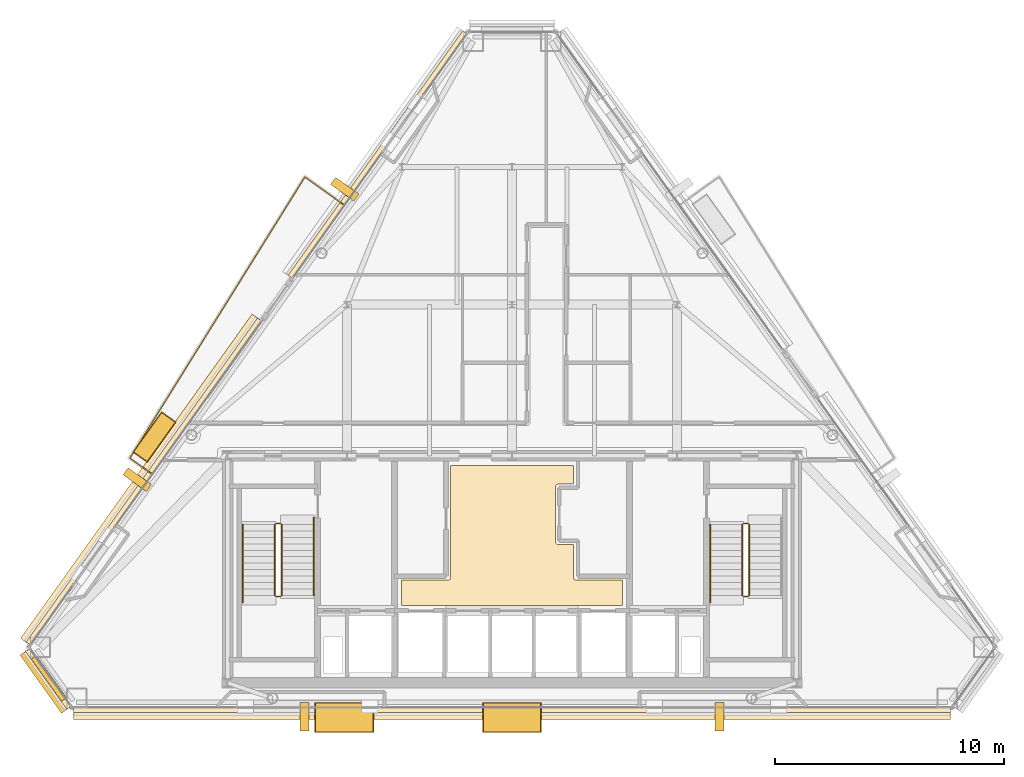
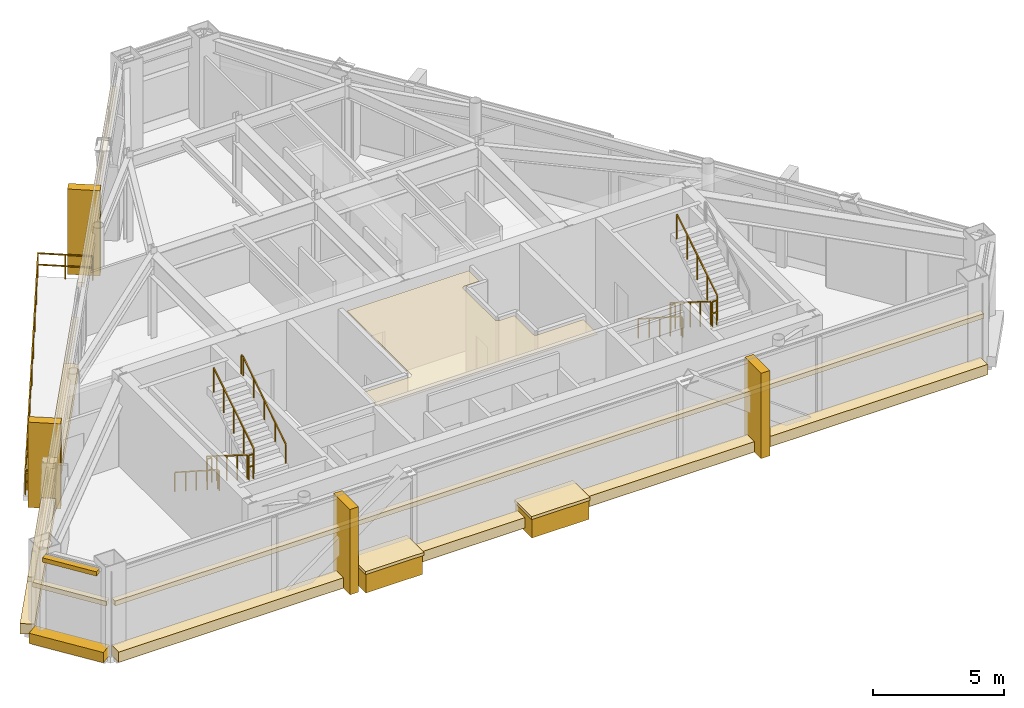
# One storey, part 11 of 12: 18 coverings, 12 railings, 1 shading device.
"""IFC4 building model written with IfcOpenShell, lengths in metres."""

from ifc_helpers import new_model, si_unit, direction, frame, origin, origin_2d, place, context, subcontext, project, spatial, polyline, rectangle, outline, extrude, source, transform, mapped, material, layer, layer_set, type_object, type_shapes, element, save


model = new_model("IFC4")

# Units and contexts
model_context = context("Model", 3, precision=1e-05, world=origin(), true_north=direction((0.0, 1.0)))
body_context = subcontext(model_context, "Body", "Model", "MODEL_VIEW")
ifc_project = project(units=[si_unit("LENGTHUNIT", "METRE"), si_unit("AREAUNIT", "SQUARE_METRE"), si_unit("VOLUMEUNIT", "CUBIC_METRE"), si_unit("PLANEANGLEUNIT", "RADIAN"), si_unit("MASSUNIT", "GRAM", prefix="KILO")], contexts=[model_context])

# Site, building, storey
site_placement = place(None, origin())
site = spatial("IfcSite", under=ifc_project, at=site_placement, CompositionType="ELEMENT")
building_placement = place(site_placement, origin())
building = spatial("IfcBuilding", under=site, at=building_placement, Name="Talgorran Terracotta Tower", CompositionType="ELEMENT")
storey_placement = place(building_placement, frame((0.0, 0.0, 285.0)))
storey = spatial("IfcBuildingStorey", under=building, at=storey_placement, Name="L75", CompositionType="ELEMENT", Elevation=285.0)

# Coverings
ifc_material_1 = material(Name="Kiln-Fired Terracotta Ochre Ceramic", Category="masonry")
ifc_layer_1 = layer(ifc_material_1, 0.179931640625, Name="COV_BAGUETTE_TERRACOTTA_SCREEN")
ifc_layer_set_1 = layer_set([ifc_layer_1], Name="Kiln-Fired Terracotta Ochre Ceramic")
covering_type_1 = type_object("IfcCoveringType", Name="COV_BAGUETTE_TERRACOTTA_SCREEN", PredefinedType="CLADDING", material=ifc_layer_set_1)
covering_1_placement = place(storey_placement, frame((-20.2119140625, -13.916748046875, 2.41015625), z_axis=(0.0, 0.0, 1.0), x_axis=(0.581256971997, -0.813720057824, 0.0)))
element("IfcCovering", 1, at=covering_1_placement, inside=storey, type_object=covering_type_1, Name="L75 Terracotta Baguette Solar Screen Assembly F0", PredefinedType="CLADDING", context=body_context, shape_type="SweptSolid", body=[
    extrude(rectangle(XDim=3.093994140625, YDim=0.260009765625, at=origin_2d()), origin(), (0.0, 0.0, 1.0), 0.219970703125),
])
covering_2_placement = place(storey_placement, frame((0.0, -15.2744140625, 2.41015625), z_axis=(0.0, 0.0, 1.0), x_axis=(1.0, 0.0, 0.0)))
element("IfcCovering", 2, at=covering_2_placement, inside=storey, type_object=covering_type_1, Name="L75 Terracotta Baguette Solar Screen Assembly F1", PredefinedType="CLADDING", context=body_context, shape_type="SweptSolid", body=[
    extrude(rectangle(XDim=38.240966796875, YDim=0.260009765625, at=origin_2d()), origin(), (0.0, 0.0, 1.0), 0.219970703125),
])
covering_3_placement = place(storey_placement, frame((-5.853515625, 8.931884765625, 2.41015625), z_axis=(0.0, 0.0, 1.0), x_axis=(-0.581242769814, -0.813730202548, 0.0)))
element("IfcCovering", 3, at=covering_3_placement, inside=storey, type_object=covering_type_1, Name="L75 Terracotta Baguette Solar Screen Assembly F60", PredefinedType="CLADDING", context=body_context, shape_type="SweptSolid", body=[
    extrude(rectangle(XDim=13.091064453125, YDim=0.260009765625, at=origin_2d()), origin(), (0.0, 0.0, 1.0), 0.219970703125),
])
covering_4_placement = place(storey_placement, frame((-16.04150390625, -5.33056640625, 2.41015625), z_axis=(0.0, 0.0, 1.0), x_axis=(-0.581242769814, -0.813730202548, 0.0)))
element("IfcCovering", 4, at=covering_4_placement, inside=storey, type_object=covering_type_1, Name="L75 Terracotta Baguette Solar Screen Assembly F61", PredefinedType="CLADDING", context=body_context, shape_type="SweptSolid", body=[
    extrude(rectangle(XDim=17.363525390625, YDim=0.260009765625, at=origin_2d()), origin(), (0.0, 0.0, 1.0), 0.219970703125),
])
ifc_material_2 = material(Name="Flush Moisture-Resistant Plaster")
ifc_layer_2 = layer(ifc_material_2, 0.01806640625, Name="COV_CEIL_PLASTER")
ifc_layer_set_2 = layer_set([ifc_layer_2], Name="Flush Moisture-Resistant Plaster")
covering_type_2 = type_object("IfcCoveringType", Name="COV_CEIL_PLASTER", PredefinedType="CEILING", material=ifc_layer_set_2)
covering_5_placement = place(storey_placement, frame((0.0, 0.0, 3.830078125)))
element("IfcCovering", 5, at=covering_5_placement, inside=storey, type_object=covering_type_2, Name="CEIL-L75-1", PredefinedType="CEILING", context=body_context, shape_type="SweptSolid", body=[
    extrude(outline(polyline([(4.830078125, -9.6201171875), (4.830078125, -10.72998046875), (-4.830078125, -10.72998046875), (-4.830078125, -9.6201171875), (-2.800048828125, -9.6201171875), (-2.7880859375, -9.619384765625), (-2.776611328125, -9.61767578125), (-2.76513671875, -9.61474609375), (-2.754150390625, -9.61083984375), (-2.743408203125, -9.605712890625), (-2.7333984375, -9.599853515625), (-2.723876953125, -9.5927734375), (-2.715087890625, -9.5849609375), (-2.707275390625, -9.576171875), (-2.7001953125, -9.566650390625), (-2.694091796875, -9.556640625), (-2.689208984375, -9.5458984375), (-2.685302734375, -9.534912109375), (-2.682373046875, -9.5234375), (-2.6806640625, -9.51171875), (-2.679931640625, -9.5), (-2.679931640625, -4.6201171875), (2.679931640625, -4.6201171875), (2.679931640625, -5.429931640625), (2.02001953125, -5.429931640625), (2.00830078125, -5.4306640625), (1.99658203125, -5.432373046875), (1.985107421875, -5.435302734375), (1.97412109375, -5.439208984375), (1.96337890625, -5.444091796875), (1.953369140625, -5.4501953125), (1.94384765625, -5.457275390625), (1.93505859375, -5.465087890625), (1.92724609375, -5.473876953125), (1.920166015625, -5.4833984375), (1.914306640625, -5.493408203125), (1.9091796875, -5.504150390625), (1.9052734375, -5.51513671875), (1.90234375, -5.526611328125), (1.900634765625, -5.5380859375), (1.89990234375, -5.550048828125), (1.89990234375, -7.949951171875), (1.900634765625, -7.9619140625), (1.90234375, -7.973388671875), (1.9052734375, -7.98486328125), (1.9091796875, -7.995849609375), (1.914306640625, -8.006591796875), (1.920166015625, -8.0166015625), (1.92724609375, -8.026123046875), (1.93505859375, -8.034912109375), (1.94384765625, -8.042724609375), (1.953369140625, -8.0498046875), (1.96337890625, -8.055908203125), (1.97412109375, -8.060791015625), (1.985107421875, -8.064697265625), (1.99658203125, -8.067626953125), (2.00830078125, -8.0693359375), (2.02001953125, -8.070068359375), (2.679931640625, -8.070068359375), (2.679931640625, -9.5), (2.6806640625, -9.51171875), (2.682373046875, -9.5234375), (2.685302734375, -9.534912109375), (2.689208984375, -9.5458984375), (2.694091796875, -9.556640625), (2.7001953125, -9.566650390625), (2.707275390625, -9.576171875), (2.715087890625, -9.5849609375), (2.723876953125, -9.5927734375), (2.7333984375, -9.599853515625), (2.743408203125, -9.605712890625), (2.754150390625, -9.61083984375), (2.76513671875, -9.61474609375), (2.776611328125, -9.61767578125), (2.7880859375, -9.619384765625), (2.800048828125, -9.6201171875), (4.830078125, -9.6201171875)])), origin(), (0.0, 0.0, 1.0), 0.02001953125),
])
ifc_material_3 = material(Name="Honed Limestone and Terracotta Planter", Category="masonry")
ifc_layer_3 = layer(ifc_material_3, 0.1201171875, Name="COV_PLANTER_BOX")
ifc_layer_set_3 = layer_set([ifc_layer_3], Name="Honed Limestone and Terracotta Planter")
covering_type_3 = type_object("IfcCoveringType", Name="COV_PLANTER_BOX", PredefinedType="CLADDING", material=ifc_layer_set_3)
for number, where, z_axis, x_axis, name in (
    (6, (-7.31591796875, -15.614501953125, -0.179931640625), (0.0, 0.0, 1.0), (1.0, 0.0, 0.0), "L75 Staggered South Facade Planter Box 1"),
    (7, (0.0, -15.614501953125, -0.179931640625), (0.0, 0.0, 1.0), (1.0, 0.0, 0.0), "L75 Staggered South Facade Planter Box 2"),
):
    element("IfcCovering", number, at=place(storey_placement, frame(where, z_axis=z_axis, x_axis=x_axis)), inside=storey, type_object=covering_type_3, Name=name, PredefinedType="CLADDING", context=body_context, shape_type="SweptSolid", body=[
        extrude(rectangle(XDim=2.5, YDim=1.25, at=origin_2d()), origin(), (0.0, 0.0, 1.0), 0.919921875),
    ])
covering_6_placement = place(storey_placement, frame((-15.5947265625, -3.38037109375, -0.02001953125), z_axis=(0.0, 0.0, 1.0), x_axis=(-0.581256971997, -0.813720057824, 0.0)))
element("IfcCovering", 8, at=covering_6_placement, inside=storey, type_object=covering_type_3, Name="L75 Staggered Balcony Planter Box BAL-NW", PredefinedType="CLADDING", context=body_context, shape_type="SweptSolid", body=[
    extrude(rectangle(XDim=2.10009765625, YDim=0.719970703125, at=origin_2d()), origin(), (0.0, 0.0, 1.0), 0.860107421875),
])
ifc_material_4 = material(Name="Kiln-Fired Terracotta Planter Rim", Category="masonry")
ifc_layer_4 = layer(ifc_material_4, 0.10009765625, Name="COV_PLANTER_RIM")
ifc_layer_set_4 = layer_set([ifc_layer_4], Name="Kiln-Fired Terracotta Planter Rim")
covering_type_4 = type_object("IfcCoveringType", Name="COV_PLANTER_RIM", PredefinedType="CLADDING", material=ifc_layer_set_4)
for number, where, z_axis, x_axis, name in (
    (9, (-7.31591796875, -15.614501953125, 0.7099609375), (0.0, 0.0, 1.0), (1.0, 0.0, 0.0), "L75 South Planter Terracotta Rim 1"),
    (10, (0.0, -15.614501953125, 0.7099609375), (0.0, 0.0, 1.0), (1.0, 0.0, 0.0), "L75 South Planter Terracotta Rim 2"),
):
    element("IfcCovering", number, at=place(storey_placement, frame(where, z_axis=z_axis, x_axis=x_axis)), inside=storey, type_object=covering_type_4, Name=name, PredefinedType="CLADDING", context=body_context, shape_type="SweptSolid", body=[
        extrude(rectangle(XDim=2.580078125, YDim=1.320068359375, at=origin_2d()), origin(), (0.0, 0.0, 1.0), 0.139892578125),
    ])
covering_7_placement = place(storey_placement, frame((-15.5947265625, -3.38037109375, 0.800048828125), z_axis=(0.0, 0.0, 1.0), x_axis=(-0.581256971997, -0.813720057824, 0.0)))
element("IfcCovering", 11, at=covering_7_placement, inside=storey, type_object=covering_type_4, Name="L75 Balcony Planter Terracotta Rim BAL-NW", PredefinedType="CLADDING", context=body_context, shape_type="SweptSolid", body=[
    extrude(rectangle(XDim=2.179931640625, YDim=0.780029296875, at=origin_2d()), origin(), (0.0, 0.0, 1.0), 0.1201171875),
])
ifc_material_5 = material(Name="Honed Limestone Cladding", Category="masonry")
ifc_layer_5 = layer(ifc_material_5, 0.094970703125, Name="COV_PORTAL_LIME")
ifc_layer_set_5 = layer_set([ifc_layer_5], Name="Honed Limestone Cladding")
covering_type_5 = type_object("IfcCoveringType", Name="COV_PORTAL_LIME", PredefinedType="CLADDING", material=ifc_layer_set_5)
for number, where, z_axis, x_axis, name in (
    (12, (-9.048583984375, -15.574462890625, -0.0498046875), (0.0, 0.0, 1.0), (1.0, 0.0, 0.0), "L75 White Striped Portal Fin F1-1"),
    (13, (-7.295166015625, 7.429931640625, -0.0498046875), (0.0, 0.0, 1.0), (-0.581256971997, -0.813720057824, 0.0), "L75 White Striped Portal Fin F5-1"),
):
    element("IfcCovering", number, at=place(storey_placement, frame(where, z_axis=z_axis, x_axis=x_axis)), inside=storey, type_object=covering_type_5, Name=name, PredefinedType="CLADDING", context=body_context, shape_type="SweptSolid", body=[
        extrude(rectangle(XDim=0.3798828125, YDim=1.25, at=origin_2d()), origin(), (0.0, 0.0, 1.0), 3.969970703125),
    ])
ifc_material_6 = material(Name="Kiln-Fired Terracotta Cladding", Category="masonry")
ifc_layer_6 = layer(ifc_material_6, 0.090087890625, Name="COV_PORTAL_TERRA")
ifc_layer_set_6 = layer_set([ifc_layer_6], Name="Kiln-Fired Terracotta Cladding")
covering_type_6 = type_object("IfcCoveringType", Name="COV_PORTAL_TERRA", PredefinedType="CLADDING", material=ifc_layer_set_6)
covering_8_placement = place(storey_placement, frame((-20.32568359375, -13.998046875, -0.0400390625), z_axis=(0.0, 0.0, 1.0), x_axis=(0.581256971997, -0.813720057824, 0.0)))
element("IfcCovering", 14, at=covering_8_placement, inside=storey, type_object=covering_type_6, Name="L75 Striped Postmodern Portal Cladding Band F0", PredefinedType="CLADDING", context=body_context, shape_type="SweptSolid", body=[
    extrude(rectangle(XDim=3.114013671875, YDim=0.56005859375, at=origin_2d()), origin(), (0.0, 0.0, 1.0), 0.47998046875),
])
covering_9_placement = place(storey_placement, frame((0.0, -15.414306640625, -0.0400390625), z_axis=(0.0, 0.0, 1.0), x_axis=(1.0, 0.0, 0.0)))
element("IfcCovering", 15, at=covering_9_placement, inside=storey, type_object=covering_type_6, Name="L75 Striped Postmodern Portal Cladding Band F1", PredefinedType="CLADDING", context=body_context, shape_type="SweptSolid", body=[
    extrude(rectangle(XDim=38.260986328125, YDim=0.56005859375, at=origin_2d()), origin(), (0.0, 0.0, 1.0), 0.47998046875),
])
covering_10_placement = place(storey_placement, frame((-16.1552734375, -5.249267578125, -0.0400390625), z_axis=(0.0, 0.0, 1.0), x_axis=(-0.581242769814, -0.813730202548, 0.0)))
element("IfcCovering", 16, at=covering_10_placement, inside=storey, type_object=covering_type_6, Name="L75 Striped Postmodern Portal Cladding Band F61", PredefinedType="CLADDING", context=body_context, shape_type="SweptSolid", body=[
    extrude(rectangle(XDim=17.383544921875, YDim=0.56005859375, at=origin_2d()), origin(), (0.0, 0.0, 1.0), 0.47998046875),
])
for number, where, z_axis, x_axis, name in (
    (17, (9.048583984375, -15.574462890625, -0.0498046875), (0.0, 0.0, 1.0), (1.0, 0.0, 0.0), "L75 Terracotta Striped Portal Fin F1-2"),
    (18, (-16.34375, -5.23779296875, -0.0498046875), (0.0, 0.0, 1.0), (-0.581256971997, -0.813720057824, 0.0), "L75 Terracotta Striped Portal Fin F5-2"),
):
    element("IfcCovering", number, at=place(storey_placement, frame(where, z_axis=z_axis, x_axis=x_axis)), inside=storey, type_object=covering_type_6, Name=name, PredefinedType="CLADDING", context=body_context, shape_type="SweptSolid", body=[
        extrude(rectangle(XDim=0.3798828125, YDim=1.25, at=origin_2d()), origin(), (0.0, 0.0, 1.0), 3.969970703125),
    ])

# Railings
ifc_material_7 = material(Name="Laminated Glass and Stainless Steel 316", Category="steel")
railing_type_1 = type_object("IfcRailingType", Name="RL_BALCONY_1150", PredefinedType="BALUSTRADE", material=ifc_material_7)
railing_1_placement = place(storey_placement, frame((-7.3212890625, 6.739501953125, 0.0)))
element("IfcRailing", 19, at=railing_1_placement, inside=storey, type_object=railing_type_1, Name="RL-L75-BAL-BAL-NW", PredefinedType="BALUSTRADE", context=body_context, shape_type="SweptSolid", body=[
    extrude(rectangle(XDim=0.048095703125, YDim=0.048095703125, at=origin_2d()), frame((0.0, 0.0, 1.1259765625), z_axis=(-0.813662860896, 0.581337035461, 0.0), x_axis=(-0.581337035461, -0.813662860896, 0.0)), (0.0, 0.0, 1.0), 2.102783203125),
    extrude(rectangle(XDim=0.048095703125, YDim=0.048095703125, at=origin_2d()), frame((0.0, 0.0, 0.597900390625), z_axis=(-0.813662860896, 0.581337035461, 0.0), x_axis=(-0.581337035461, -0.813662860896, 0.0)), (0.0, 0.0, 1.0), 2.102783203125),
    extrude(rectangle(XDim=0.048095703125, YDim=0.048095703125, at=origin_2d()), frame((-1.7109375, 1.222412109375, 1.1259765625), z_axis=(-0.528501451736, -0.848932397493, 0.0), x_axis=(0.848932397493, -0.528501451736, 0.0)), (0.0, 0.0, 1.0), 14.44287109375),
    extrude(rectangle(XDim=0.048095703125, YDim=0.048095703125, at=origin_2d()), frame((-1.7109375, 1.222412109375, 0.597900390625), z_axis=(-0.528501451736, -0.848932397493, 0.0), x_axis=(0.848932397493, -0.528501451736, 0.0)), (0.0, 0.0, 1.0), 14.44287109375),
    extrude(rectangle(XDim=0.048095703125, YDim=0.048095703125, at=origin_2d()), frame((-9.343994140625, -11.03857421875, 1.1259765625), z_axis=(0.813677891813, -0.581315997006, 0.0), x_axis=(0.581315997006, 0.813677891813, 0.0)), (0.0, 0.0, 1.0), 1.187255859375),
    extrude(rectangle(XDim=0.048095703125, YDim=0.048095703125, at=origin_2d()), frame((-9.343994140625, -11.03857421875, 0.597900390625), z_axis=(0.813677891813, -0.581315997006, 0.0), x_axis=(0.581315997006, 0.813677891813, 0.0)), (0.0, 0.0, 1.0), 1.187255859375),
    extrude(rectangle(XDim=0.0419921875, YDim=0.0419921875, at=origin_2d()), origin(), (0.0, 0.0, 1.0), 1.101806640625),
    extrude(rectangle(XDim=0.0419921875, YDim=0.0419921875, at=origin_2d()), frame((-0.85546875, 0.611328125, 0.0)), (0.0, 0.0, 1.0), 1.101806640625),
    extrude(rectangle(XDim=0.0419921875, YDim=0.0419921875, at=origin_2d()), frame((-1.7109375, 1.222412109375, 0.0)), (0.0, 0.0, 1.0), 1.101806640625),
    extrude(rectangle(XDim=0.0419921875, YDim=0.0419921875, at=origin_2d()), frame((-2.6650390625, -0.310302734375, 0.0)), (0.0, 0.0, 1.0), 1.101806640625),
    extrude(rectangle(XDim=0.0419921875, YDim=0.0419921875, at=origin_2d()), frame((-3.619140625, -1.8427734375, 0.0)), (0.0, 0.0, 1.0), 1.101806640625),
    extrude(rectangle(XDim=0.0419921875, YDim=0.0419921875, at=origin_2d()), frame((-4.5732421875, -3.37548828125, 0.0)), (0.0, 0.0, 1.0), 1.101806640625),
    extrude(rectangle(XDim=0.0419921875, YDim=0.0419921875, at=origin_2d()), frame((-5.52734375, -4.908203125, 0.0)), (0.0, 0.0, 1.0), 1.101806640625),
    extrude(rectangle(XDim=0.0419921875, YDim=0.0419921875, at=origin_2d()), frame((-6.481689453125, -6.440673828125, 0.0)), (0.0, 0.0, 1.0), 1.101806640625),
    extrude(rectangle(XDim=0.0419921875, YDim=0.0419921875, at=origin_2d()), frame((-7.435791015625, -7.973388671875, 0.0)), (0.0, 0.0, 1.0), 1.101806640625),
    extrude(rectangle(XDim=0.0419921875, YDim=0.0419921875, at=origin_2d()), frame((-8.389892578125, -9.505859375, 0.0)), (0.0, 0.0, 1.0), 1.101806640625),
    extrude(rectangle(XDim=0.0419921875, YDim=0.0419921875, at=origin_2d()), frame((-9.343994140625, -11.03857421875, 0.0)), (0.0, 0.0, 1.0), 1.101806640625),
    extrude(rectangle(XDim=0.0419921875, YDim=0.0419921875, at=origin_2d()), frame((-8.3779296875, -11.728759765625, 0.0)), (0.0, 0.0, 1.0), 1.101806640625),
])
ifc_material_8 = material(Name="Steel S355 (300PLUS)", Category="steel")
railing_type_2 = type_object("IfcRailingType", Name="RL_HANDRAIL_920", PredefinedType="HANDRAIL", material=ifc_material_8)
railing_2_placement = place(storey_placement, frame((-11.75, -7.199951171875, 0.175048828125)))
element("IfcRailing", 20, at=railing_2_placement, inside=storey, type_object=railing_type_2, Name="L75 ST-01 stair handrail 1", PredefinedType="HANDRAIL", context=body_context, shape_type="SweptSolid", body=[
    extrude(rectangle(XDim=0.048095703125, YDim=0.048095703125, at=origin_2d()), frame((0.0, 0.0, 0.89599609375), z_axis=(0.0, -0.840693329249, 0.541511519874), x_axis=(1.0, 0.0, 0.0)), (0.0, 0.0, 1.0), 3.877685546875),
    extrude(rectangle(XDim=0.048095703125, YDim=0.048095703125, at=origin_2d()), frame((0.0, -3.260009765625, 2.99560546875), z_axis=(0.0, -1.0, 0.0), x_axis=(1.0, 0.0, 0.0)), (0.0, 0.0, 1.0), 0.1201171875),
    extrude(rectangle(XDim=0.0419921875, YDim=0.0419921875, at=origin_2d()), origin(), (0.0, 0.0, 1.0), 0.871826171875),
    extrude(rectangle(XDim=0.0419921875, YDim=0.0419921875, at=origin_2d()), frame((0.0, -0.81494140625, 0.52490234375)), (0.0, 0.0, 1.0), 0.871826171875),
    extrude(rectangle(XDim=0.0419921875, YDim=0.0419921875, at=origin_2d()), frame((0.0, -1.6298828125, 1.0498046875)), (0.0, 0.0, 1.0), 0.871826171875),
    extrude(rectangle(XDim=0.0419921875, YDim=0.0419921875, at=origin_2d()), frame((0.0, -2.445068359375, 1.574951171875)), (0.0, 0.0, 1.0), 0.871826171875),
    extrude(rectangle(XDim=0.0419921875, YDim=0.0419921875, at=origin_2d()), frame((0.0, -3.260009765625, 2.099853515625)), (0.0, 0.0, 1.0), 0.871826171875),
    extrude(rectangle(XDim=0.0419921875, YDim=0.0419921875, at=origin_2d()), frame((0.0, -3.380126953125, 2.099853515625)), (0.0, 0.0, 1.0), 0.871826171875),
])
railing_3_placement = place(storey_placement, frame((-8.64990234375, -10.280029296875, 2.27490234375)))
element("IfcRailing", 21, at=railing_3_placement, inside=storey, type_object=railing_type_2, Name="L75 ST-01 stair handrail 2", PredefinedType="HANDRAIL", context=body_context, shape_type="SweptSolid", body=[
    extrude(rectangle(XDim=0.048095703125, YDim=0.048095703125, at=origin_2d()), frame((0.0, 0.0, 0.89599609375), z_axis=(0.0, 0.84066466721, 0.541556014928), x_axis=(-1.0, 0.0, 0.0)), (0.0, 0.0, 1.0), 3.8779296875),
    extrude(rectangle(XDim=0.048095703125, YDim=0.048095703125, at=origin_2d()), frame((0.0, 3.260009765625, 2.99609375), z_axis=(0.0, 1.0, 0.0), x_axis=(-1.0, 0.0, 0.0)), (0.0, 0.0, 1.0), 0.1201171875),
    extrude(rectangle(XDim=0.0419921875, YDim=0.0419921875, at=origin_2d()), origin(), (0.0, 0.0, 1.0), 0.871826171875),
    extrude(rectangle(XDim=0.0419921875, YDim=0.0419921875, at=origin_2d()), frame((0.0, 0.81494140625, 0.52490234375)), (0.0, 0.0, 1.0), 0.871826171875),
    extrude(rectangle(XDim=0.0419921875, YDim=0.0419921875, at=origin_2d()), frame((0.0, 1.6298828125, 1.050048828125)), (0.0, 0.0, 1.0), 0.871826171875),
    extrude(rectangle(XDim=0.0419921875, YDim=0.0419921875, at=origin_2d()), frame((0.0, 2.445068359375, 1.5751953125)), (0.0, 0.0, 1.0), 0.871826171875),
    extrude(rectangle(XDim=0.0419921875, YDim=0.0419921875, at=origin_2d()), frame((0.0, 3.260009765625, 2.10009765625)), (0.0, 0.0, 1.0), 0.871826171875),
    extrude(rectangle(XDim=0.0419921875, YDim=0.0419921875, at=origin_2d()), frame((0.0, 3.380126953125, 2.10009765625)), (0.0, 0.0, 1.0), 0.871826171875),
])
railing_4_placement = place(storey_placement, frame((8.64990234375, -7.199951171875, 0.175048828125)))
element("IfcRailing", 22, at=railing_4_placement, inside=storey, type_object=railing_type_2, Name="L75 ST-02 stair handrail 1", PredefinedType="HANDRAIL", context=body_context, shape_type="SweptSolid", body=[
    extrude(rectangle(XDim=0.048095703125, YDim=0.048095703125, at=origin_2d()), frame((0.0, 0.0, 0.89599609375), z_axis=(0.0, -0.840693329249, 0.541511519874), x_axis=(1.0, 0.0, 0.0)), (0.0, 0.0, 1.0), 3.877685546875),
    extrude(rectangle(XDim=0.048095703125, YDim=0.048095703125, at=origin_2d()), frame((0.0, -3.260009765625, 2.99560546875), z_axis=(0.0, -1.0, 0.0), x_axis=(1.0, 0.0, 0.0)), (0.0, 0.0, 1.0), 0.1201171875),
    extrude(rectangle(XDim=0.0419921875, YDim=0.0419921875, at=origin_2d()), origin(), (0.0, 0.0, 1.0), 0.871826171875),
    extrude(rectangle(XDim=0.0419921875, YDim=0.0419921875, at=origin_2d()), frame((0.0, -0.81494140625, 0.52490234375)), (0.0, 0.0, 1.0), 0.871826171875),
    extrude(rectangle(XDim=0.0419921875, YDim=0.0419921875, at=origin_2d()), frame((0.0, -1.6298828125, 1.0498046875)), (0.0, 0.0, 1.0), 0.871826171875),
    extrude(rectangle(XDim=0.0419921875, YDim=0.0419921875, at=origin_2d()), frame((0.0, -2.445068359375, 1.574951171875)), (0.0, 0.0, 1.0), 0.871826171875),
    extrude(rectangle(XDim=0.0419921875, YDim=0.0419921875, at=origin_2d()), frame((0.0, -3.260009765625, 2.099853515625)), (0.0, 0.0, 1.0), 0.871826171875),
    extrude(rectangle(XDim=0.0419921875, YDim=0.0419921875, at=origin_2d()), frame((0.0, -3.380126953125, 2.099853515625)), (0.0, 0.0, 1.0), 0.871826171875),
])
railing_type_3 = type_object("IfcRailingType", Name="RL_STAIR_GUARD", PredefinedType="GUARDRAIL", material=ifc_material_8)
railing_5_placement = place(storey_placement, frame((-10.35009765625, -7.199951171875, 0.175048828125)))
element("IfcRailing", 23, at=railing_5_placement, inside=storey, type_object=railing_type_3, Name="L75 ST-01 stair guard 1", PredefinedType="GUARDRAIL", context=body_context, shape_type="SweptSolid", body=[
    extrude(rectangle(XDim=0.048095703125, YDim=0.048095703125, at=origin_2d()), frame((0.0, 0.0, 1.15576171875), z_axis=(0.0, -0.847998304005, 0.529998940003), x_axis=(1.0, 0.0, 0.0)), (0.0, 0.0, 1.0), 3.632080078125),
    extrude(rectangle(XDim=0.0419921875, YDim=0.0419921875, at=origin_2d()), origin(), (0.0, 0.0, 1.0), 1.1318359375),
    extrude(rectangle(XDim=0.0419921875, YDim=0.0419921875, at=origin_2d()), frame((0.0, -0.77001953125, 0.481201171875)), (0.0, 0.0, 1.0), 1.1318359375),
    extrude(rectangle(XDim=0.0419921875, YDim=0.0419921875, at=origin_2d()), frame((0.0, -1.5400390625, 0.96240234375)), (0.0, 0.0, 1.0), 1.1318359375),
    extrude(rectangle(XDim=0.0419921875, YDim=0.0419921875, at=origin_2d()), frame((0.0, -2.31005859375, 1.44384765625)), (0.0, 0.0, 1.0), 1.1318359375),
    extrude(rectangle(XDim=0.0419921875, YDim=0.0419921875, at=origin_2d()), frame((0.0, -3.080078125, 1.925048828125)), (0.0, 0.0, 1.0), 1.1318359375),
])
railing_6_placement = place(storey_placement, frame((-10.300048828125, -10.330078125, 2.10009765625)))
element("IfcRailing", 24, at=railing_6_placement, inside=storey, type_object=railing_type_3, Name="L75 ST-01 stair guard 2", PredefinedType="GUARDRAIL", context=body_context, shape_type="SweptSolid", body=[
    extrude(rectangle(XDim=0.048095703125, YDim=0.048095703125, at=origin_2d()), frame((0.0, 0.0, 1.15576171875), z_axis=(1.0, 0.0, 0.0), x_axis=(0.0, 1.0, 0.0)), (0.0, 0.0, 1.0), 0.199951171875),
    extrude(rectangle(XDim=0.048095703125, YDim=0.048095703125, at=origin_2d()), frame((0.0, 0.0, 0.613525390625), z_axis=(1.0, 0.0, 0.0), x_axis=(0.0, 1.0, 0.0)), (0.0, 0.0, 1.0), 0.199951171875),
    extrude(rectangle(XDim=0.0419921875, YDim=0.0419921875, at=origin_2d()), origin(), (0.0, 0.0, 1.0), 1.1318359375),
    extrude(rectangle(XDim=0.0419921875, YDim=0.0419921875, at=origin_2d()), frame((0.199951171875, 0.0, 0.0)), (0.0, 0.0, 1.0), 1.1318359375),
])
railing_7_placement = place(storey_placement, frame((-10.050048828125, -10.280029296875, 2.27490234375)))
element("IfcRailing", 25, at=railing_7_placement, inside=storey, type_object=railing_type_3, Name="L75 ST-01 stair guard 3", PredefinedType="GUARDRAIL", context=body_context, shape_type="SweptSolid", body=[
    extrude(rectangle(XDim=0.048095703125, YDim=0.048095703125, at=origin_2d()), frame((0.0, 0.0, 1.15576171875), z_axis=(0.0, 0.847998304005, 0.529998940003), x_axis=(-1.0, 0.0, 0.0)), (0.0, 0.0, 1.0), 3.632080078125),
    extrude(rectangle(XDim=0.0419921875, YDim=0.0419921875, at=origin_2d()), origin(), (0.0, 0.0, 1.0), 1.1318359375),
    extrude(rectangle(XDim=0.0419921875, YDim=0.0419921875, at=origin_2d()), frame((0.0, 0.77001953125, 0.481201171875)), (0.0, 0.0, 1.0), 1.1318359375),
    extrude(rectangle(XDim=0.0419921875, YDim=0.0419921875, at=origin_2d()), frame((0.0, 1.5400390625, 0.96240234375)), (0.0, 0.0, 1.0), 1.1318359375),
    extrude(rectangle(XDim=0.0419921875, YDim=0.0419921875, at=origin_2d()), frame((0.0, 2.31005859375, 1.44384765625)), (0.0, 0.0, 1.0), 1.1318359375),
    extrude(rectangle(XDim=0.0419921875, YDim=0.0419921875, at=origin_2d()), frame((0.0, 3.080078125, 1.925048828125)), (0.0, 0.0, 1.0), 1.1318359375),
])
railing_8_placement = place(storey_placement, frame((-10.300048828125, -7.14990234375, 0.0)))
element("IfcRailing", 26, at=railing_8_placement, inside=storey, type_object=railing_type_3, Name="L75 ST-01 stair guard 4", PredefinedType="GUARDRAIL", context=body_context, shape_type="SweptSolid", body=[
    extrude(rectangle(XDim=0.048095703125, YDim=0.048095703125, at=origin_2d()), frame((0.0, 0.0, 1.15576171875), z_axis=(1.0, 0.0, 0.0), x_axis=(0.0, 1.0, 0.0)), (0.0, 0.0, 1.0), 0.199951171875),
    extrude(rectangle(XDim=0.048095703125, YDim=0.048095703125, at=origin_2d()), frame((0.0, 0.0, 0.613525390625), z_axis=(1.0, 0.0, 0.0), x_axis=(0.0, 1.0, 0.0)), (0.0, 0.0, 1.0), 0.199951171875),
    extrude(rectangle(XDim=0.0419921875, YDim=0.0419921875, at=origin_2d()), origin(), (0.0, 0.0, 1.0), 1.1318359375),
    extrude(rectangle(XDim=0.0419921875, YDim=0.0419921875, at=origin_2d()), frame((0.199951171875, 0.0, 0.0)), (0.0, 0.0, 1.0), 1.1318359375),
])
railing_9_placement = place(storey_placement, frame((10.050048828125, -7.199951171875, 0.175048828125)))
element("IfcRailing", 27, at=railing_9_placement, inside=storey, type_object=railing_type_3, Name="L75 ST-02 stair guard 1", PredefinedType="GUARDRAIL", context=body_context, shape_type="SweptSolid", body=[
    extrude(rectangle(XDim=0.048095703125, YDim=0.048095703125, at=origin_2d()), frame((0.0, 0.0, 1.15576171875), z_axis=(0.0, -0.847998304005, 0.529998940003), x_axis=(1.0, 0.0, 0.0)), (0.0, 0.0, 1.0), 3.632080078125),
    extrude(rectangle(XDim=0.0419921875, YDim=0.0419921875, at=origin_2d()), origin(), (0.0, 0.0, 1.0), 1.1318359375),
    extrude(rectangle(XDim=0.0419921875, YDim=0.0419921875, at=origin_2d()), frame((0.0, -0.77001953125, 0.481201171875)), (0.0, 0.0, 1.0), 1.1318359375),
    extrude(rectangle(XDim=0.0419921875, YDim=0.0419921875, at=origin_2d()), frame((0.0, -1.5400390625, 0.96240234375)), (0.0, 0.0, 1.0), 1.1318359375),
    extrude(rectangle(XDim=0.0419921875, YDim=0.0419921875, at=origin_2d()), frame((0.0, -2.31005859375, 1.44384765625)), (0.0, 0.0, 1.0), 1.1318359375),
    extrude(rectangle(XDim=0.0419921875, YDim=0.0419921875, at=origin_2d()), frame((0.0, -3.080078125, 1.925048828125)), (0.0, 0.0, 1.0), 1.1318359375),
])
railing_10_placement = place(storey_placement, frame((10.10009765625, -10.330078125, 2.10009765625)))
element("IfcRailing", 28, at=railing_10_placement, inside=storey, type_object=railing_type_3, Name="L75 ST-02 stair guard 2", PredefinedType="GUARDRAIL", context=body_context, shape_type="SweptSolid", body=[
    extrude(rectangle(XDim=0.048095703125, YDim=0.048095703125, at=origin_2d()), frame((0.0, 0.0, 1.15576171875), z_axis=(1.0, 0.0, 0.0), x_axis=(0.0, 1.0, 0.0)), (0.0, 0.0, 1.0), 0.199951171875),
    extrude(rectangle(XDim=0.048095703125, YDim=0.048095703125, at=origin_2d()), frame((0.0, 0.0, 0.613525390625), z_axis=(1.0, 0.0, 0.0), x_axis=(0.0, 1.0, 0.0)), (0.0, 0.0, 1.0), 0.199951171875),
    extrude(rectangle(XDim=0.0419921875, YDim=0.0419921875, at=origin_2d()), origin(), (0.0, 0.0, 1.0), 1.1318359375),
    extrude(rectangle(XDim=0.0419921875, YDim=0.0419921875, at=origin_2d()), frame((0.199951171875, 0.0, 0.0)), (0.0, 0.0, 1.0), 1.1318359375),
])
railing_11_placement = place(storey_placement, frame((10.35009765625, -10.280029296875, 2.27490234375)))
element("IfcRailing", 29, at=railing_11_placement, inside=storey, type_object=railing_type_3, Name="L75 ST-02 stair guard 3", PredefinedType="GUARDRAIL", context=body_context, shape_type="SweptSolid", body=[
    extrude(rectangle(XDim=0.048095703125, YDim=0.048095703125, at=origin_2d()), frame((0.0, 0.0, 1.15576171875), z_axis=(0.0, 0.847998304005, 0.529998940003), x_axis=(-1.0, 0.0, 0.0)), (0.0, 0.0, 1.0), 3.632080078125),
    extrude(rectangle(XDim=0.0419921875, YDim=0.0419921875, at=origin_2d()), origin(), (0.0, 0.0, 1.0), 1.1318359375),
    extrude(rectangle(XDim=0.0419921875, YDim=0.0419921875, at=origin_2d()), frame((0.0, 0.77001953125, 0.481201171875)), (0.0, 0.0, 1.0), 1.1318359375),
    extrude(rectangle(XDim=0.0419921875, YDim=0.0419921875, at=origin_2d()), frame((0.0, 1.5400390625, 0.96240234375)), (0.0, 0.0, 1.0), 1.1318359375),
    extrude(rectangle(XDim=0.0419921875, YDim=0.0419921875, at=origin_2d()), frame((0.0, 2.31005859375, 1.44384765625)), (0.0, 0.0, 1.0), 1.1318359375),
    extrude(rectangle(XDim=0.0419921875, YDim=0.0419921875, at=origin_2d()), frame((0.0, 3.080078125, 1.925048828125)), (0.0, 0.0, 1.0), 1.1318359375),
])
railing_12_placement = place(storey_placement, frame((10.10009765625, -7.14990234375, 0.0)))
element("IfcRailing", 30, at=railing_12_placement, inside=storey, type_object=railing_type_3, Name="L75 ST-02 stair guard 4", PredefinedType="GUARDRAIL", context=body_context, shape_type="SweptSolid", body=[
    extrude(rectangle(XDim=0.048095703125, YDim=0.048095703125, at=origin_2d()), frame((0.0, 0.0, 1.15576171875), z_axis=(1.0, 0.0, 0.0), x_axis=(0.0, 1.0, 0.0)), (0.0, 0.0, 1.0), 0.199951171875),
    extrude(rectangle(XDim=0.048095703125, YDim=0.048095703125, at=origin_2d()), frame((0.0, 0.0, 0.613525390625), z_axis=(1.0, 0.0, 0.0), x_axis=(0.0, 1.0, 0.0)), (0.0, 0.0, 1.0), 0.199951171875),
    extrude(rectangle(XDim=0.0419921875, YDim=0.0419921875, at=origin_2d()), origin(), (0.0, 0.0, 1.0), 1.1318359375),
    extrude(rectangle(XDim=0.0419921875, YDim=0.0419921875, at=origin_2d()), frame((0.199951171875, 0.0, 0.0)), (0.0, 0.0, 1.0), 1.1318359375),
])

# Shading device
ifc_material_9 = material(Name="Kiln-Fired Terracotta", Category="masonry")
ifc_layer_7 = layer(ifc_material_9, 0.280029296875, Name="SHD_SUNSHADE_TERRA")
ifc_layer_set_7 = layer_set([ifc_layer_7], Name="Kiln-Fired Terracotta")
shading_device_type = type_object("IfcShadingDeviceType", Name="SHD_SUNSHADE_TERRA", PredefinedType="AWNING", material=ifc_layer_set_7)
shared_shape = source(origin(), body_context, "Body", "SweptSolid", [
    extrude(rectangle(XDim=2.263916015625, YDim=0.280029296875, at=origin_2d()), origin(), (0.0, 0.0, 1.0), 0.199951171875),
])
type_shapes(shading_device_type, [shared_shape])
shading_device_placement = place(storey_placement, frame((-20.195556640625, -13.905029296875, 3.68017578125), z_axis=(0.0, 0.0, 1.0), x_axis=(0.581256971997, -0.813720057824, 0.0)))
element("IfcShadingDevice", 31, at=shading_device_placement, inside=storey, type_object=shading_device_type, Name="SHD-BROW-L75-F0", PredefinedType="AWNING", context=body_context, shape_type="MappedRepresentation", body=[
    mapped(shared_shape, transform((0.0, 0.0, 0.0), scale=1.0)),
])

save(model, "model.ifc")
